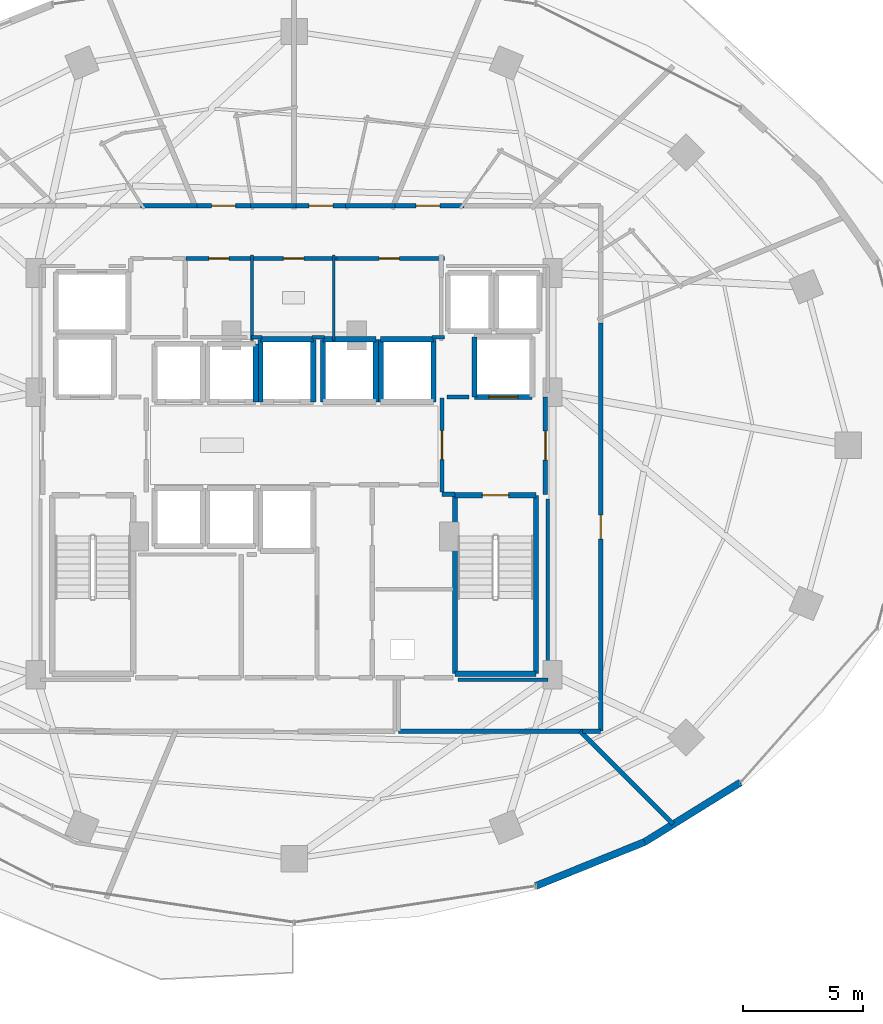
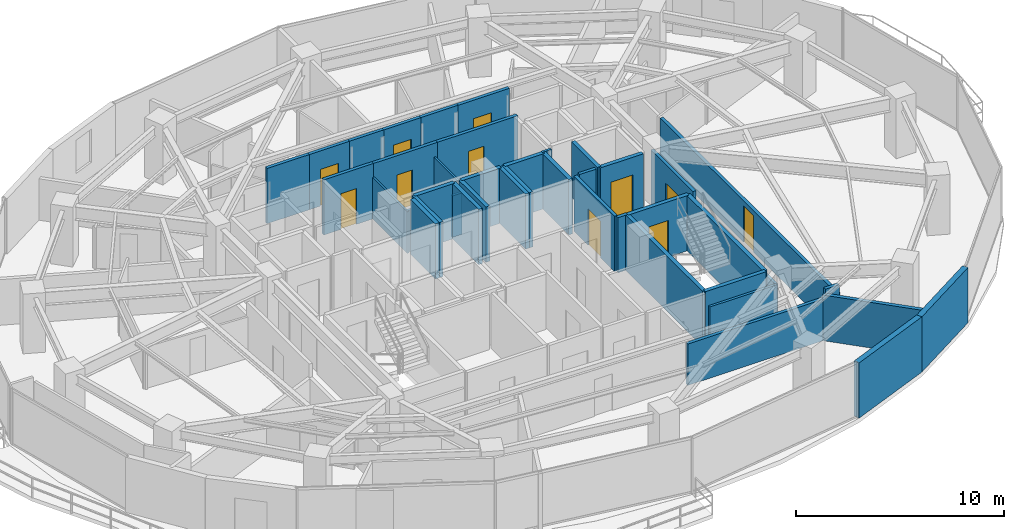
# One storey, part 25 of 30: 42 walls, 11 doors, 11 openings.
"""IFC4 building model written with IfcOpenShell, lengths in metres."""

from ifc_helpers import new_model, si_unit, direction, frame, frame_2d, origin, place, context, subcontext, project, spatial, rectangle, extrude, material, layer, layer_set, type_object, element, fill, save


model = new_model("IFC4")

# Units and contexts
model_context = context("Model", 3, precision=1e-05, world=origin(), true_north=direction((0.0, 1.0)))
body_context = subcontext(model_context, "Body", "Model", "MODEL_VIEW")
ifc_project = project(units=[si_unit("LENGTHUNIT", "METRE"), si_unit("AREAUNIT", "SQUARE_METRE"), si_unit("VOLUMEUNIT", "CUBIC_METRE"), si_unit("PLANEANGLEUNIT", "RADIAN"), si_unit("MASSUNIT", "GRAM", prefix="KILO")], contexts=[model_context])

# Site, building, storey
site_placement = place(None, origin())
site = spatial("IfcSite", under=ifc_project, at=site_placement, CompositionType="ELEMENT")
building_placement = place(site_placement, origin())
building = spatial("IfcBuilding", under=site, at=building_placement, Name="Vorneva Point Tower", CompositionType="ELEMENT")
storey_placement = place(building_placement, frame((0.0, 0.0, 106.800048828125)))
storey = spatial("IfcBuildingStorey", under=building, at=storey_placement, Name="L28", CompositionType="ELEMENT", Elevation=106.800048828125)

# Wall, opening, door
ifc_material_1 = material(Name="Concrete B60 (C50/60)", Category="concrete")
ifc_layer_1 = layer(ifc_material_1, 0.5)
ifc_layer_set_1 = layer_set([ifc_layer_1], Name="Concrete B60 (C50/60)")
wall_type_1 = type_object("IfcWallType", Name="WL-CORE-500", PredefinedType="SHEAR", material=ifc_layer_set_1)
wall_1_placement = place(storey_placement, frame((45.5, 28.0, 0.0), z_axis=(0.0, 0.0, 1.0), x_axis=(1.0, 0.0, 0.0)))
wall_1 = element("IfcWall", 1, at=wall_1_placement, inside=storey, type_object=wall_type_1, Name="L28 Lift FFL2 Shaft Wall -Y", PredefinedType="SHEAR", context=body_context, shape_type="SweptSolid", body=[
    extrude(rectangle(XDim=2.39990234375, YDim=0.219970703125, at=frame_2d((1.199951171875, 0.0))), origin(), (0.0, 0.0, 1.0), 3.239990234375),
])
opening_1_placement = place(wall_1_placement, frame((0.60009765625, 0.0, 0.0)))
opening_1 = element("IfcOpeningElement", 2, at=opening_1_placement, cuts=wall_1, Name="Opening LD-02", PredefinedType="OPENING", context=body_context, shape_type="SweptSolid", body=[
    extrude(rectangle(XDim=1.199951171875, YDim=2.199951171875, at=frame_2d((0.60009765625, 1.10009765625))), frame((0.0, 0.125, 0.0), z_axis=(0.0, -1.0, 0.0), x_axis=(1.0, 0.0, 0.0)), (0.0, 0.0, 1.0), 0.249755859375),
])
ifc_material_2 = material(Name="Brushed stainless steel S304", Category="steel")
door_type_1 = type_object("IfcDoorType", Name="LD-FIRE-1200", OperationType="SLIDING_TO_LEFT", PredefinedType="DOOR", material=ifc_material_2)
door_1_placement = place(opening_1_placement, origin())
door_1 = element("IfcDoor", 3, at=door_1_placement, inside=storey, type_object=door_type_1, Name="L28 Lift FFL2 Sliding Landing Door", OperationType="SLIDING_TO_LEFT", OverallHeight=2.199951171875, OverallWidth=1.199951171875, PredefinedType="DOOR", context=body_context, shape_type="SweptSolid", body=[
    extrude(rectangle(XDim=1.199951171875, YDim=2.199951171875, at=frame_2d((0.60009765625, 1.10009765625))), frame((0.0, 0.02490234375, 0.0), z_axis=(0.0, -1.0, 0.0), x_axis=(1.0, 0.0, 0.0)), (0.0, 0.0, 1.0), 0.050048828125),
])
fill(opening_1, door_1)

# Walls
wall_2_placement = place(storey_placement, frame((45.5, 30.5, 0.0), z_axis=(0.0, 0.0, 1.0), x_axis=(0.0, -1.0, 0.0)))
element("IfcWall", 4, at=wall_2_placement, inside=storey, type_object=wall_type_1, Name="L28 Lift FFL2 Shaft Wall -X", PredefinedType="SHEAR", context=body_context, shape_type="SweptSolid", body=[
    extrude(rectangle(XDim=2.5, YDim=0.219970703125, at=frame_2d((1.25, 0.0))), origin(), (0.0, 0.0, 1.0), 3.239990234375),
])
ifc_material_3 = material(Name="Precast concrete B50 (C40/50)", Category="concrete")
ifc_layer_2 = layer(ifc_material_3, 0.300048828125)
ifc_layer_set_2 = layer_set([ifc_layer_2], Name="Precast concrete B50 (C40/50)")
wall_type_2 = type_object("IfcWallType", Name="WL-EXT-300", PredefinedType="STANDARD", material=ifc_layer_set_2)
wall_3_placement = place(storey_placement, frame((48.04541015625, 7.660888671875, 0.0), z_axis=(0.0, 0.0, 1.0), x_axis=(0.927122233109, 0.374759075775, 0.0)))
element("IfcWall", 5, at=wall_3_placement, inside=storey, type_object=wall_type_2, Name="L28 Pale-Metal Facade Spandrel Wall 14.1", PredefinedType="STANDARD", context=body_context, shape_type="SweptSolid", body=[
    extrude(rectangle(XDim=4.89501953125, YDim=0.300048828125, at=frame_2d((2.447509765625, 0.0))), origin(), (0.0, 0.0, 1.0), 3.239990234375),
])
wall_4_placement = place(storey_placement, frame((52.583740234375, 9.495361328125, 0.0), z_axis=(0.0, 0.0, 1.0), x_axis=(0.849684479743, 0.527291461038, 0.0)))
element("IfcWall", 6, at=wall_4_placement, inside=storey, type_object=wall_type_2, Name="L28 Pale-Metal Facade Spandrel Wall 14.2", PredefinedType="STANDARD", context=body_context, shape_type="SweptSolid", body=[
    extrude(rectangle(XDim=4.681396484375, YDim=0.300048828125, at=frame_2d((2.3408203125, 0.0))), origin(), (0.0, 0.0, 1.0), 3.239990234375),
])
ifc_material_4 = material(Name="Fire-rated acoustic gypsum stud partition", Category="gypsum")
ifc_layer_3 = layer(ifc_material_4, 0.110107421875)
ifc_layer_set_3 = layer_set([ifc_layer_3], Name="Fire-rated acoustic gypsum stud partition")
wall_type_3 = type_object("IfcWallType", Name="WL-PART-110", PredefinedType="PARTITIONING", material=ifc_layer_set_3)
for number, where, z_axis, x_axis, name in (
    (7, (36.25, 30.340087890625, 0.0), (0.0, 0.0, 1.0), (0.0, 1.0, 0.0), "L28 Interior Partition 017"),
    (8, (39.64990234375, 30.340087890625, 0.0), (0.0, 0.0, 1.0), (0.0, 1.0, 0.0), "L28 Interior Partition 019"),
):
    element("IfcWall", number, at=place(storey_placement, frame(where, z_axis=z_axis, x_axis=x_axis)), inside=storey, type_object=wall_type_3, Name=name, PredefinedType="PARTITIONING", context=body_context, shape_type="SweptSolid", body=[
        extrude(rectangle(XDim=3.559814453125, YDim=0.110107421875, at=frame_2d((1.77978515625, 0.0))), origin(), (0.0, 0.0, 1.0), 2.431884765625),
    ])
ifc_layer_4 = layer(ifc_material_4, 0.139892578125)
ifc_layer_set_4 = layer_set([ifc_layer_4], Name="Fire-rated acoustic gypsum stud partition")
wall_type_4 = type_object("IfcWallType", Name="WL-PART-140", PredefinedType="PARTITIONING", material=ifc_layer_set_4)
wall_5_placement = place(storey_placement, frame((36.219970703125, 30.47998046875, 0.0), z_axis=(0.0, 0.0, 1.0), x_axis=(1.0, 0.0, 0.0)))
element("IfcWall", 9, at=wall_5_placement, inside=storey, type_object=wall_type_4, Name="L28 Interior Closure Partition 097", PredefinedType="PARTITIONING", context=body_context, shape_type="SweptSolid", body=[
    extrude(rectangle(XDim=0.445068359375, YDim=0.139892578125, at=frame_2d((0.22265625, 0.0))), origin(), (0.0, 0.0, 1.0), 2.431884765625),
])
wall_6_placement = place(storey_placement, frame((38.735107421875, 30.47998046875, 0.0), z_axis=(0.0, 0.0, 1.0), x_axis=(1.0, 0.0, 0.0)))
element("IfcWall", 10, at=wall_6_placement, inside=storey, type_object=wall_type_4, Name="L28 Interior Closure Partition 098", PredefinedType="PARTITIONING", context=body_context, shape_type="SweptSolid", body=[
    extrude(rectangle(XDim=0.52978515625, YDim=0.139892578125, at=frame_2d((0.264892578125, 0.0))), origin(), (0.0, 0.0, 1.0), 2.431884765625),
])
wall_7_placement = place(storey_placement, frame((43.735107421875, 30.47998046875, 0.0), z_axis=(0.0, 0.0, 1.0), x_axis=(1.0, 0.0, 0.0)))
element("IfcWall", 11, at=wall_7_placement, inside=storey, type_object=wall_type_4, Name="L28 Interior Closure Partition 099", PredefinedType="PARTITIONING", context=body_context, shape_type="SweptSolid", body=[
    extrude(rectangle(XDim=0.52490234375, YDim=0.139892578125, at=frame_2d((0.262451171875, 0.0))), origin(), (0.0, 0.0, 1.0), 3.239990234375),
])
wall_8_placement = place(storey_placement, frame((48.550048828125, 23.75390625, 0.0), z_axis=(0.0, 0.0, 1.0), x_axis=(0.0, -1.0, 0.0)))
element("IfcWall", 12, at=wall_8_placement, inside=storey, type_object=wall_type_4, Name="L28 Interior Closure Partition 105", PredefinedType="PARTITIONING", context=body_context, shape_type="SweptSolid", body=[
    extrude(rectangle(XDim=7.513916015625, YDim=0.139892578125, at=frame_2d((3.7568359375, 0.0))), origin(), (0.0, 0.0, 1.0), 2.431884765625),
])
wall_9_placement = place(storey_placement, frame((48.550048828125, 16.239990234375, 0.0), z_axis=(0.0, 0.0, 1.0), x_axis=(-1.0, 0.0, 0.0)))
element("IfcWall", 13, at=wall_9_placement, inside=storey, type_object=wall_type_4, Name="L28 Interior Closure Partition 106", PredefinedType="PARTITIONING", context=body_context, shape_type="SweptSolid", body=[
    extrude(rectangle(XDim=3.7451171875, YDim=0.139892578125, at=frame_2d((1.87255859375, 0.0))), origin(), (0.0, 0.0, 1.0), 2.431884765625),
])

# Wall, opening, door
ifc_material_5 = material(Name="Autoclaved aerated concrete blockwork", Category="masonry")
ifc_layer_5 = layer(ifc_material_5, 0.179931640625)
ifc_layer_set_5 = layer_set([ifc_layer_5], Name="Autoclaved aerated concrete blockwork")
wall_type_5 = type_object("IfcWallType", Name="WL-PART-180", PredefinedType="PARTITIONING", material=ifc_layer_set_5)
wall_10_placement = place(storey_placement, frame((44.14990234375, 27.955078125, 0.0), z_axis=(0.0, 0.0, 1.0), x_axis=(0.0, -1.0, 0.0)))
wall_10 = element("IfcWall", 14, at=wall_10_placement, inside=storey, type_object=wall_type_5, Name="L28 Interior Partition 003", PredefinedType="PARTITIONING", context=body_context, shape_type="SweptSolid", body=[
    extrude(rectangle(XDim=3.91015625, YDim=0.179931640625, at=frame_2d((1.955078125, 0.0))), origin(), (0.0, 0.0, 1.0), 3.239990234375),
])
opening_2_placement = place(wall_10_placement, frame((1.35498046875, 0.0, 0.0)))
opening_2 = element("IfcOpeningElement", 15, at=opening_2_placement, cuts=wall_10, Name="Opening FD-02", PredefinedType="OPENING", context=body_context, shape_type="SweptSolid", body=[
    extrude(rectangle(XDim=1.199951171875, YDim=2.14990234375, at=frame_2d((0.60009765625, 1.074951171875))), frame((0.0, 0.10498046875, 0.0), z_axis=(0.0, -1.0, 0.0), x_axis=(1.0, 0.0, 0.0)), (0.0, 0.0, 1.0), 0.209716796875),
])
ifc_material_6 = material(Name="Fire-rated powder-coated steel", Category="steel")
door_type_2 = type_object("IfcDoorType", Name="DR-FFL-1200", OperationType="NOTDEFINED", PredefinedType="DOOR", material=ifc_material_6)
door_2_placement = place(opening_2_placement, origin())
door_2 = element("IfcDoor", 16, at=door_2_placement, inside=storey, type_object=door_type_2, Name="L28 Door East Firefighting Lobby / Central Lift Lobby", OperationType="SINGLE_SWING_LEFT", OverallHeight=2.14990234375, OverallWidth=1.199951171875, PredefinedType="DOOR", context=body_context, shape_type="SweptSolid", body=[
    extrude(rectangle(XDim=1.199951171875, YDim=2.14990234375, at=frame_2d((0.60009765625, 1.074951171875))), frame((0.0, 0.02490234375, 0.0), z_axis=(0.0, -1.0, 0.0), x_axis=(1.0, 0.0, 0.0)), (0.0, 0.0, 1.0), 0.050048828125),
])
fill(opening_2, door_2)

# Wall
wall_11_placement = place(storey_placement, frame((44.14990234375, 23.949951171875, 0.0), z_axis=(0.0, 0.0, 1.0), x_axis=(1.0, 0.0, 0.0)))
element("IfcWall", 17, at=wall_11_placement, inside=storey, type_object=wall_type_5, Name="L28 Interior Partition 004", PredefinedType="PARTITIONING", context=body_context, shape_type="SweptSolid", body=[
    extrude(rectangle(XDim=0.5400390625, YDim=0.179931640625, at=frame_2d((0.27001953125, 0.0))), origin(), (0.0, 0.0, 1.0), 3.239990234375),
])

# Wall, opening, door
wall_12_placement = place(storey_placement, frame((48.449951171875, 23.949951171875, 0.0), z_axis=(0.0, 0.0, 1.0), x_axis=(0.0, 1.0, 0.0)))
wall_12 = element("IfcWall", 18, at=wall_12_placement, inside=storey, type_object=wall_type_5, Name="L28 Interior Partition 005", PredefinedType="PARTITIONING", context=body_context, shape_type="SweptSolid", body=[
    extrude(rectangle(XDim=4.050048828125, YDim=0.179931640625, at=frame_2d((2.02490234375, 0.0))), origin(), (0.0, 0.0, 1.0), 3.239990234375),
])
opening_3_placement = place(wall_12_placement, frame((1.425048828125, 0.0, 0.0)))
opening_3 = element("IfcOpeningElement", 19, at=opening_3_placement, cuts=wall_12, Name="Opening FD-02", PredefinedType="OPENING", context=body_context, shape_type="SweptSolid", body=[
    extrude(rectangle(XDim=1.199951171875, YDim=2.14990234375, at=frame_2d((0.60009765625, 1.074951171875))), frame((0.0, 0.10498046875, 0.0), z_axis=(0.0, -1.0, 0.0), x_axis=(1.0, 0.0, 0.0)), (0.0, 0.0, 1.0), 0.209716796875),
])
door_3_placement = place(opening_3_placement, origin())
door_3 = element("IfcDoor", 20, at=door_3_placement, inside=storey, type_object=door_type_2, Name="L28 Door East Firefighting Lobby / L28 Circulation Corridor", OperationType="SINGLE_SWING_LEFT", OverallHeight=2.14990234375, OverallWidth=1.199951171875, PredefinedType="DOOR", context=body_context, shape_type="SweptSolid", body=[
    extrude(rectangle(XDim=1.199951171875, YDim=2.14990234375, at=frame_2d((0.60009765625, 1.074951171875))), frame((0.0, 0.02490234375, 0.0), z_axis=(0.0, -1.0, 0.0), x_axis=(1.0, 0.0, 0.0)), (0.0, 0.0, 1.0), 0.050048828125),
])
fill(opening_3, door_3)

wall_13_placement = place(storey_placement, frame((36.25, 33.760009765625, 0.0), z_axis=(0.0, 0.0, 1.0), x_axis=(-1.0, 0.0, 0.0)))
wall_13 = element("IfcWall", 21, at=wall_13_placement, inside=storey, type_object=wall_type_5, Name="L28 Interior Partition 018", PredefinedType="PARTITIONING", context=body_context, shape_type="SweptSolid", body=[
    extrude(rectangle(XDim=2.75, YDim=0.179931640625, at=frame_2d((1.375, 0.0))), origin(), (0.0, 0.0, 1.0), 3.239990234375),
])
opening_4_placement = place(wall_13_placement, frame((0.949951171875, 0.0, 0.0)))
opening_4 = element("IfcOpeningElement", 22, at=opening_4_placement, cuts=wall_13, Name="Opening ID-02", PredefinedType="OPENING", context=body_context, shape_type="SweptSolid", body=[
    extrude(rectangle(XDim=0.85009765625, YDim=2.10009765625, at=frame_2d((0.425048828125, 1.050048828125))), frame((0.0, 0.10498046875, 0.0), z_axis=(0.0, -1.0, 0.0), x_axis=(1.0, 0.0, 0.0)), (0.0, 0.0, 1.0), 0.209716796875),
])
ifc_material_7 = material(Name="Engineered oak fire-rated door leaf", Category="wood")
door_type_3 = type_object("IfcDoorType", Name="DR-BATH-850", OperationType="NOTDEFINED", PredefinedType="DOOR", material=ifc_material_7)
door_4_placement = place(opening_4_placement, origin())
door_4 = element("IfcDoor", 23, at=door_4_placement, inside=storey, type_object=door_type_3, Name="L28 Door Core Supply Store / L28 Circulation Corridor", OperationType="SINGLE_SWING_RIGHT", OverallHeight=2.10009765625, OverallWidth=0.85009765625, PredefinedType="DOOR", context=body_context, shape_type="SweptSolid", body=[
    extrude(rectangle(XDim=0.85009765625, YDim=2.10009765625, at=frame_2d((0.425048828125, 1.050048828125))), frame((0.0, 0.02490234375, 0.0), z_axis=(0.0, -1.0, 0.0), x_axis=(1.0, 0.0, 0.0)), (0.0, 0.0, 1.0), 0.050048828125),
])
fill(opening_4, door_4)

wall_14_placement = place(storey_placement, frame((39.7900390625, 33.760009765625, 0.0), z_axis=(0.0, 0.0, 1.0), x_axis=(-1.0, 0.0, 0.0)))
wall_14 = element("IfcWall", 24, at=wall_14_placement, inside=storey, type_object=wall_type_5, Name="L28 Interior Partition 020", PredefinedType="PARTITIONING", context=body_context, shape_type="SweptSolid", body=[
    extrude(rectangle(XDim=3.630126953125, YDim=0.179931640625, at=frame_2d((1.81494140625, 0.0))), origin(), (0.0, 0.0, 1.0), 3.239990234375),
])
opening_5_placement = place(wall_14_placement, frame((1.389892578125, 0.0, 0.0)))
opening_5 = element("IfcOpeningElement", 25, at=opening_5_placement, cuts=wall_14, Name="Opening ID-02", PredefinedType="OPENING", context=body_context, shape_type="SweptSolid", body=[
    extrude(rectangle(XDim=0.85009765625, YDim=2.10009765625, at=frame_2d((0.425048828125, 1.050048828125))), frame((0.0, 0.10498046875, 0.0), z_axis=(0.0, -1.0, 0.0), x_axis=(1.0, 0.0, 0.0)), (0.0, 0.0, 1.0), 0.209716796875),
])
door_5_placement = place(opening_5_placement, origin())
door_5 = element("IfcDoor", 26, at=door_5_placement, inside=storey, type_object=door_type_3, Name="L28 Door Accessible WC / L28 Circulation Corridor", OperationType="SINGLE_SWING_LEFT", OverallHeight=2.10009765625, OverallWidth=0.85009765625, PredefinedType="DOOR", context=body_context, shape_type="SweptSolid", body=[
    extrude(rectangle(XDim=0.85009765625, YDim=2.10009765625, at=frame_2d((0.425048828125, 1.050048828125))), frame((0.0, 0.02490234375, 0.0), z_axis=(0.0, -1.0, 0.0), x_axis=(1.0, 0.0, 0.0)), (0.0, 0.0, 1.0), 0.050048828125),
])
fill(opening_5, door_5)

wall_15_placement = place(storey_placement, frame((44.260009765625, 33.760009765625, 0.0), z_axis=(0.0, 0.0, 1.0), x_axis=(-1.0, 0.0, 0.0)))
wall_15 = element("IfcWall", 27, at=wall_15_placement, inside=storey, type_object=wall_type_5, Name="L28 Interior Partition 021", PredefinedType="PARTITIONING", context=body_context, shape_type="SweptSolid", body=[
    extrude(rectangle(XDim=4.610107421875, YDim=0.179931640625, at=frame_2d((2.30517578125, 0.0))), origin(), (0.0, 0.0, 1.0), 3.239990234375),
])
opening_6_placement = place(wall_15_placement, frame((1.8798828125, 0.0, 0.0)))
opening_6 = element("IfcOpeningElement", 28, at=opening_6_placement, cuts=wall_15, Name="Opening ID-02", PredefinedType="OPENING", context=body_context, shape_type="SweptSolid", body=[
    extrude(rectangle(XDim=0.85009765625, YDim=2.10009765625, at=frame_2d((0.425048828125, 1.050048828125))), frame((0.0, 0.10498046875, 0.0), z_axis=(0.0, -1.0, 0.0), x_axis=(1.0, 0.0, 0.0)), (0.0, 0.0, 1.0), 0.209716796875),
])
door_6_placement = place(opening_6_placement, origin())
door_6 = element("IfcDoor", 29, at=door_6_placement, inside=storey, type_object=door_type_3, Name="L28 Door Public WC / L28 Circulation Corridor", OperationType="SINGLE_SWING_RIGHT", OverallHeight=2.10009765625, OverallWidth=0.85009765625, PredefinedType="DOOR", context=body_context, shape_type="SweptSolid", body=[
    extrude(rectangle(XDim=0.85009765625, YDim=2.10009765625, at=frame_2d((0.425048828125, 1.050048828125))), frame((0.0, 0.02490234375, 0.0), z_axis=(0.0, -1.0, 0.0), x_axis=(1.0, 0.0, 0.0)), (0.0, 0.0, 1.0), 0.050048828125),
])
fill(opening_6, door_6)

wall_16_placement = place(storey_placement, frame((45.06591796875, 35.949951171875, 0.0), z_axis=(0.0, 0.0, 1.0), x_axis=(-1.0, 0.0, 0.0)))
wall_16 = element("IfcWall", 30, at=wall_16_placement, inside=storey, type_object=wall_type_5, Name="L28 Interior Partition 029", PredefinedType="PARTITIONING", context=body_context, shape_type="SweptSolid", body=[
    extrude(rectangle(XDim=3.0048828125, YDim=0.179931640625, at=frame_2d((1.50244140625, 0.0))), origin(), (0.0, 0.0, 1.0), 3.239990234375),
])
opening_7_placement = place(wall_16_placement, frame((1.00244140625, 0.0, 0.0)))
opening_7 = element("IfcOpeningElement", 31, at=opening_7_placement, cuts=wall_16, Name="Opening UD-01", PredefinedType="OPENING", context=body_context, shape_type="SweptSolid", body=[
    extrude(rectangle(XDim=1.0, YDim=2.14990234375, at=frame_2d((0.5, 1.074951171875))), frame((0.0, 0.10498046875, 0.0), z_axis=(0.0, -1.0, 0.0), x_axis=(1.0, 0.0, 0.0)), (0.0, 0.0, 1.0), 0.209716796875),
])
door_type_4 = type_object("IfcDoorType", Name="DR-UNIT-1000", OperationType="NOTDEFINED", PredefinedType="DOOR", material=ifc_material_7)
door_7_placement = place(opening_7_placement, origin())
door_7 = element("IfcDoor", 32, at=door_7_placement, inside=storey, type_object=door_type_4, Name="L28 Door L28 Circulation Corridor / Twin Guest Room L28-02", OperationType="SINGLE_SWING_RIGHT", OverallHeight=2.14990234375, OverallWidth=1.0, PredefinedType="DOOR", context=body_context, shape_type="SweptSolid", body=[
    extrude(rectangle(XDim=1.0, YDim=2.14990234375, at=frame_2d((0.5, 1.074951171875))), frame((0.0, 0.02490234375, 0.0), z_axis=(0.0, -1.0, 0.0), x_axis=(1.0, 0.0, 0.0)), (0.0, 0.0, 1.0), 0.050048828125),
])
fill(opening_7, door_7)

wall_17_placement = place(storey_placement, frame((40.284912109375, 35.949951171875, 0.0), z_axis=(0.0, 0.0, 1.0), x_axis=(-1.0, 0.0, 0.0)))
wall_17 = element("IfcWall", 33, at=wall_17_placement, inside=storey, type_object=wall_type_5, Name="L28 Interior Partition 031", PredefinedType="PARTITIONING", context=body_context, shape_type="SweptSolid", body=[
    extrude(rectangle(XDim=2.344970703125, YDim=0.179931640625, at=frame_2d((1.17236328125, 0.0))), origin(), (0.0, 0.0, 1.0), 3.239990234375),
])
opening_8_placement = place(wall_17_placement, frame((0.672607421875, 0.0, 0.0)))
opening_8 = element("IfcOpeningElement", 34, at=opening_8_placement, cuts=wall_17, Name="Opening UD-01", PredefinedType="OPENING", context=body_context, shape_type="SweptSolid", body=[
    extrude(rectangle(XDim=1.0, YDim=2.14990234375, at=frame_2d((0.5, 1.074951171875))), frame((0.0, 0.10498046875, 0.0), z_axis=(0.0, -1.0, 0.0), x_axis=(1.0, 0.0, 0.0)), (0.0, 0.0, 1.0), 0.209716796875),
])
door_8_placement = place(opening_8_placement, origin())
door_8 = element("IfcDoor", 35, at=door_8_placement, inside=storey, type_object=door_type_4, Name="L28 Door L28 Circulation Corridor / Deluxe Guest Room L28-03", OperationType="SINGLE_SWING_LEFT", OverallHeight=2.14990234375, OverallWidth=1.0, PredefinedType="DOOR", context=body_context, shape_type="SweptSolid", body=[
    extrude(rectangle(XDim=1.0, YDim=2.14990234375, at=frame_2d((0.5, 1.074951171875))), frame((0.0, 0.02490234375, 0.0), z_axis=(0.0, -1.0, 0.0), x_axis=(1.0, 0.0, 0.0)), (0.0, 0.0, 1.0), 0.050048828125),
])
fill(opening_8, door_8)

# Wall
wall_18_placement = place(storey_placement, frame((42.200927734375, 35.949951171875, 0.0), z_axis=(0.0, 0.0, 1.0), x_axis=(-1.0, 0.0, 0.0)))
element("IfcWall", 36, at=wall_18_placement, inside=storey, type_object=wall_type_5, Name="L28 Interior Partition 032", PredefinedType="PARTITIONING", context=body_context, shape_type="SweptSolid", body=[
    extrude(rectangle(XDim=2.055908203125, YDim=0.179931640625, at=frame_2d((1.02783203125, 0.0))), origin(), (0.0, 0.0, 1.0), 3.239990234375),
])

# Wall, opening, door
wall_19_placement = place(storey_placement, frame((36.322998046875, 35.949951171875, 0.0), z_axis=(0.0, 0.0, 1.0), x_axis=(-1.0, 0.0, 0.0)))
wall_19 = element("IfcWall", 37, at=wall_19_placement, inside=storey, type_object=wall_type_5, Name="L28 Interior Partition 033", PredefinedType="PARTITIONING", context=body_context, shape_type="SweptSolid", body=[
    extrude(rectangle(XDim=2.509033203125, YDim=0.179931640625, at=frame_2d((1.25439453125, 0.0))), origin(), (0.0, 0.0, 1.0), 3.239990234375),
])
opening_9_placement = place(wall_19_placement, frame((0.75439453125, 0.0, 0.0)))
opening_9 = element("IfcOpeningElement", 38, at=opening_9_placement, cuts=wall_19, Name="Opening UD-01", PredefinedType="OPENING", context=body_context, shape_type="SweptSolid", body=[
    extrude(rectangle(XDim=1.0, YDim=2.14990234375, at=frame_2d((0.5, 1.074951171875))), frame((0.0, 0.10498046875, 0.0), z_axis=(0.0, -1.0, 0.0), x_axis=(1.0, 0.0, 0.0)), (0.0, 0.0, 1.0), 0.209716796875),
])
door_9_placement = place(opening_9_placement, origin())
door_9 = element("IfcDoor", 39, at=door_9_placement, inside=storey, type_object=door_type_4, Name="L28 Door L28 Circulation Corridor / King Guest Room L28-04", OperationType="SINGLE_SWING_RIGHT", OverallHeight=2.14990234375, OverallWidth=1.0, PredefinedType="DOOR", context=body_context, shape_type="SweptSolid", body=[
    extrude(rectangle(XDim=1.0, YDim=2.14990234375, at=frame_2d((0.5, 1.074951171875))), frame((0.0, 0.02490234375, 0.0), z_axis=(0.0, -1.0, 0.0), x_axis=(1.0, 0.0, 0.0)), (0.0, 0.0, 1.0), 0.050048828125),
])
fill(opening_9, door_9)

# Walls
wall_20_placement = place(storey_placement, frame((38.080078125, 35.949951171875, 0.0), z_axis=(0.0, 0.0, 1.0), x_axis=(-1.0, 0.0, 0.0)))
element("IfcWall", 40, at=wall_20_placement, inside=storey, type_object=wall_type_5, Name="L28 Interior Partition 034", PredefinedType="PARTITIONING", context=body_context, shape_type="SweptSolid", body=[
    extrude(rectangle(XDim=1.89697265625, YDim=0.179931640625, at=frame_2d((0.948486328125, 0.0))), origin(), (0.0, 0.0, 1.0), 3.239990234375),
])
wall_21_placement = place(storey_placement, frame((33.9541015625, 35.949951171875, 0.0), z_axis=(0.0, 0.0, 1.0), x_axis=(-1.0, 0.0, 0.0)))
element("IfcWall", 41, at=wall_21_placement, inside=storey, type_object=wall_type_5, Name="L28 Interior Partition 036", PredefinedType="PARTITIONING", context=body_context, shape_type="SweptSolid", body=[
    extrude(rectangle(XDim=2.34814453125, YDim=0.179931640625, at=frame_2d((1.174072265625, 0.0))), origin(), (0.0, 0.0, 1.0), 3.239990234375),
])
wall_22_placement = place(storey_placement, frame((42.340087890625, 14.10009765625, 0.0), z_axis=(0.0, 0.0, 1.0), x_axis=(1.0, 0.0, 0.0)))
element("IfcWall", 42, at=wall_22_placement, inside=storey, type_object=wall_type_5, Name="L28 Interior Partition 046", PredefinedType="PARTITIONING", context=body_context, shape_type="SweptSolid", body=[
    extrude(rectangle(XDim=7.64501953125, YDim=0.179931640625, at=frame_2d((3.822509765625, 0.0))), origin(), (0.0, 0.0, 1.0), 2.431884765625),
])
wall_23_placement = place(storey_placement, frame((49.985107421875, 14.10009765625, 0.0), z_axis=(0.0, 0.0, 1.0), x_axis=(1.0, 0.0, 0.0)))
element("IfcWall", 43, at=wall_23_placement, inside=storey, type_object=wall_type_5, Name="L28 Interior Partition 049", PredefinedType="PARTITIONING", context=body_context, shape_type="SweptSolid", body=[
    extrude(rectangle(XDim=0.764892578125, YDim=0.179931640625, at=frame_2d((0.38232421875, 0.0))), origin(), (0.0, 0.0, 1.0), 2.971923828125),
])

# Wall, opening, door
wall_24_placement = place(storey_placement, frame((50.75, 14.10009765625, 0.0), z_axis=(0.0, 0.0, 1.0), x_axis=(0.0, 1.0, 0.0)))
wall_24 = element("IfcWall", 44, at=wall_24_placement, inside=storey, type_object=wall_type_5, Name="L28 Interior Partition 050", PredefinedType="PARTITIONING", context=body_context, shape_type="SweptSolid", body=[
    extrude(rectangle(XDim=16.98095703125, YDim=0.179931640625, at=frame_2d((8.490478515625, 0.0))), origin(), (0.0, 0.0, 1.0), 2.431884765625),
])
opening_10_placement = place(wall_24_placement, frame((7.990478515625, 0.0, 0.0)))
opening_10 = element("IfcOpeningElement", 45, at=opening_10_placement, cuts=wall_24, Name="Opening UD-01", PredefinedType="OPENING", context=body_context, shape_type="SweptSolid", body=[
    extrude(rectangle(XDim=1.0, YDim=2.14990234375, at=frame_2d((0.5, 1.074951171875))), frame((0.0, 0.10498046875, 0.0), z_axis=(0.0, -1.0, 0.0), x_axis=(1.0, 0.0, 0.0)), (0.0, 0.0, 1.0), 0.209716796875),
])
door_10_placement = place(opening_10_placement, origin())
door_10 = element("IfcDoor", 46, at=door_10_placement, inside=storey, type_object=door_type_4, Name="L28 Door L28 Circulation Corridor / Executive Meeting Room L28-10", OperationType="SINGLE_SWING_RIGHT", OverallHeight=2.14990234375, OverallWidth=1.0, PredefinedType="DOOR", context=body_context, shape_type="SweptSolid", body=[
    extrude(rectangle(XDim=1.0, YDim=2.14990234375, at=frame_2d((0.5, 1.074951171875))), frame((0.0, 0.02490234375, 0.0), z_axis=(0.0, -1.0, 0.0), x_axis=(1.0, 0.0, 0.0)), (0.0, 0.0, 1.0), 0.050048828125),
])
fill(opening_10, door_10)

# Walls
wall_25_placement = place(storey_placement, frame((45.280029296875, 28.0, 0.0), z_axis=(0.0, 0.0, 1.0), x_axis=(-1.0, 0.0, 0.0)))
element("IfcWall", 47, at=wall_25_placement, inside=storey, type_object=wall_type_5, Name="L28 Interior Closure Partition 094", PredefinedType="PARTITIONING", context=body_context, shape_type="SweptSolid", body=[
    extrude(rectangle(XDim=0.9150390625, YDim=0.179931640625, at=frame_2d((0.45751953125, 0.0))), origin(), (0.0, 0.0, 1.0), 3.239990234375),
])
ifc_layer_6 = layer(ifc_material_5, 0.199951171875)
ifc_layer_set_6 = layer_set([ifc_layer_6], Name="Autoclaved aerated concrete blockwork")
wall_type_6 = type_object("IfcWallType", Name="WL-PART-200", PredefinedType="PARTITIONING", material=ifc_layer_set_6)
wall_26_placement = place(storey_placement, frame((53.76806640625, 10.23193359375, 0.0), z_axis=(0.0, 0.0, 1.0), x_axis=(-0.707106781187, 0.707106781187, 0.0)))
element("IfcWall", 48, at=wall_26_placement, inside=storey, type_object=wall_type_6, Name="L28 Interior Partition 092", PredefinedType="PARTITIONING", context=body_context, shape_type="SweptSolid", body=[
    extrude(rectangle(XDim=5.470458984375, YDim=0.199951171875, at=frame_2d((2.7353515625, 0.0))), origin(), (0.0, 0.0, 1.0), 2.677001953125),
])

# Wall, opening, door
ifc_material_8 = material(Name="Concrete B50 (C40/50)", Category="concrete")
ifc_layer_7 = layer(ifc_material_8, 0.219970703125)
ifc_layer_set_7 = layer_set([ifc_layer_7], Name="Concrete B50 (C40/50)")
wall_type_7 = type_object("IfcWallType", Name="WL-SHFT-220", PredefinedType="SOLIDWALL", material=ifc_layer_set_7)
wall_27_placement = place(storey_placement, frame((44.68994140625, 23.909912109375, 0.0), z_axis=(0.0, 0.0, 1.0), x_axis=(1.0, 0.0, 0.0)))
wall_27 = element("IfcWall", 49, at=wall_27_placement, inside=storey, type_object=wall_type_7, Name="L28 Exit Stair ST2 Shaft Wall near", PredefinedType="SOLIDWALL", context=body_context, shape_type="SweptSolid", body=[
    extrude(rectangle(XDim=3.3701171875, YDim=0.219970703125, at=frame_2d((1.68505859375, 0.0))), origin(), (0.0, 0.0, 1.0), 3.239990234375),
])
opening_11_placement = place(wall_27_placement, frame((1.135009765625, 0.0, 0.0)))
opening_11 = element("IfcOpeningElement", 50, at=opening_11_placement, cuts=wall_27, Name="Opening FD-01", PredefinedType="OPENING", context=body_context, shape_type="SweptSolid", body=[
    extrude(rectangle(XDim=1.10009765625, YDim=2.14990234375, at=frame_2d((0.550048828125, 1.074951171875))), frame((0.0, 0.125, 0.0), z_axis=(0.0, -1.0, 0.0), x_axis=(1.0, 0.0, 0.0)), (0.0, 0.0, 1.0), 0.249755859375),
])
door_type_5 = type_object("IfcDoorType", Name="DR-STAIR-1100", OperationType="NOTDEFINED", PredefinedType="DOOR", material=ifc_material_6)
door_11_placement = place(opening_11_placement, origin())
door_11 = element("IfcDoor", 51, at=door_11_placement, inside=storey, type_object=door_type_5, Name="L28 Exit Stair ST2 Fire Door", OperationType="SINGLE_SWING_LEFT", OverallHeight=2.14990234375, OverallWidth=1.10009765625, PredefinedType="DOOR", context=body_context, shape_type="SweptSolid", body=[
    extrude(rectangle(XDim=1.10009765625, YDim=2.14990234375, at=frame_2d((0.550048828125, 1.074951171875))), frame((0.0, 0.02490234375, 0.0), z_axis=(0.0, -1.0, 0.0), x_axis=(1.0, 0.0, 0.0)), (0.0, 0.0, 1.0), 0.050048828125),
])
fill(opening_11, door_11)

# Walls
wall_28_placement = place(storey_placement, frame((48.06005859375, 23.909912109375, 0.0), z_axis=(0.0, 0.0, 1.0), x_axis=(0.0, -1.0, 0.0)))
element("IfcWall", 52, at=wall_28_placement, inside=storey, type_object=wall_type_7, Name="L28 Exit Stair ST2 Shaft Wall right", PredefinedType="SOLIDWALL", context=body_context, shape_type="SweptSolid", body=[
    extrude(rectangle(XDim=7.419921875, YDim=0.219970703125, at=frame_2d((3.7099609375, 0.0))), origin(), (0.0, 0.0, 1.0), 3.239990234375),
])
wall_29_placement = place(storey_placement, frame((48.06005859375, 16.489990234375, 0.0), z_axis=(0.0, 0.0, 1.0), x_axis=(-1.0, 0.0, 0.0)))
element("IfcWall", 53, at=wall_29_placement, inside=storey, type_object=wall_type_7, Name="L28 Exit Stair ST2 Shaft Wall far", PredefinedType="SOLIDWALL", context=body_context, shape_type="SweptSolid", body=[
    extrude(rectangle(XDim=3.3701171875, YDim=0.219970703125, at=frame_2d((1.68505859375, 0.0))), origin(), (0.0, 0.0, 1.0), 3.239990234375),
])
wall_30_placement = place(storey_placement, frame((44.68994140625, 16.489990234375, 0.0), z_axis=(0.0, 0.0, 1.0), x_axis=(0.0, 1.0, 0.0)))
element("IfcWall", 54, at=wall_30_placement, inside=storey, type_object=wall_type_7, Name="L28 Exit Stair ST2 Shaft Wall left", PredefinedType="SOLIDWALL", context=body_context, shape_type="SweptSolid", body=[
    extrude(rectangle(XDim=7.419921875, YDim=0.219970703125, at=frame_2d((3.7099609375, 0.0))), origin(), (0.0, 0.0, 1.0), 3.239990234375),
])
wall_31_placement = place(storey_placement, frame((36.39990234375, 27.800048828125, 0.0), z_axis=(0.0, 0.0, 1.0), x_axis=(0.0, 1.0, 0.0)))
element("IfcWall", 55, at=wall_31_placement, inside=storey, type_object=wall_type_7, Name="L28 Lift PL2 Shaft Wall +X", PredefinedType="SOLIDWALL", context=body_context, shape_type="SweptSolid", body=[
    extrude(rectangle(XDim=2.39990234375, YDim=0.219970703125, at=frame_2d((1.199951171875, 0.0))), origin(), (0.0, 0.0, 1.0), 3.239990234375),
])
wall_32_placement = place(storey_placement, frame((38.800048828125, 27.800048828125, 0.0), z_axis=(0.0, 0.0, 1.0), x_axis=(0.0, 1.0, 0.0)))
element("IfcWall", 56, at=wall_32_placement, inside=storey, type_object=wall_type_7, Name="L28 Lift PL3 Shaft Wall +X", PredefinedType="SOLIDWALL", context=body_context, shape_type="SweptSolid", body=[
    extrude(rectangle(XDim=2.599853515625, YDim=0.219970703125, at=frame_2d((1.2998046875, 0.0))), origin(), (0.0, 0.0, 1.0), 3.239990234375),
])
wall_33_placement = place(storey_placement, frame((38.800048828125, 30.39990234375, 0.0), z_axis=(0.0, 0.0, 1.0), x_axis=(-1.0, 0.0, 0.0)))
element("IfcWall", 57, at=wall_33_placement, inside=storey, type_object=wall_type_7, Name="L28 Lift PL3 Shaft Wall +Y", PredefinedType="SOLIDWALL", context=body_context, shape_type="SweptSolid", body=[
    extrude(rectangle(XDim=2.199951171875, YDim=0.219970703125, at=frame_2d((1.10009765625, 0.0))), origin(), (0.0, 0.0, 1.0), 3.239990234375),
])
for number, where, z_axis, x_axis, name in (
    (58, (36.60009765625, 30.39990234375, 0.0), (0.0, 0.0, 1.0), (0.0, -1.0, 0.0), "L28 Lift PL3 Shaft Wall -X"),
    (59, (41.39990234375, 27.800048828125, 0.0), (0.0, 0.0, 1.0), (0.0, 1.0, 0.0), "L28 Lift PL7 Shaft Wall +X"),
):
    element("IfcWall", number, at=place(storey_placement, frame(where, z_axis=z_axis, x_axis=x_axis)), inside=storey, type_object=wall_type_7, Name=name, PredefinedType="SOLIDWALL", context=body_context, shape_type="SweptSolid", body=[
        extrude(rectangle(XDim=2.599853515625, YDim=0.219970703125, at=frame_2d((1.2998046875, 0.0))), origin(), (0.0, 0.0, 1.0), 3.239990234375),
    ])
wall_34_placement = place(storey_placement, frame((41.39990234375, 30.39990234375, 0.0), z_axis=(0.0, 0.0, 1.0), x_axis=(-1.0, 0.0, 0.0)))
element("IfcWall", 60, at=wall_34_placement, inside=storey, type_object=wall_type_7, Name="L28 Lift PL7 Shaft Wall +Y", PredefinedType="SOLIDWALL", context=body_context, shape_type="SweptSolid", body=[
    extrude(rectangle(XDim=2.199951171875, YDim=0.219970703125, at=frame_2d((1.10009765625, 0.0))), origin(), (0.0, 0.0, 1.0), 3.239990234375),
])
for number, where, z_axis, x_axis, name in (
    (61, (39.199951171875, 30.39990234375, 0.0), (0.0, 0.0, 1.0), (0.0, -1.0, 0.0), "L28 Lift PL7 Shaft Wall -X"),
    (62, (43.800048828125, 27.800048828125, 0.0), (0.0, 0.0, 1.0), (0.0, 1.0, 0.0), "L28 Lift PL8 Shaft Wall +X"),
):
    element("IfcWall", number, at=place(storey_placement, frame(where, z_axis=z_axis, x_axis=x_axis)), inside=storey, type_object=wall_type_7, Name=name, PredefinedType="SOLIDWALL", context=body_context, shape_type="SweptSolid", body=[
        extrude(rectangle(XDim=2.599853515625, YDim=0.219970703125, at=frame_2d((1.2998046875, 0.0))), origin(), (0.0, 0.0, 1.0), 3.239990234375),
    ])
wall_35_placement = place(storey_placement, frame((43.800048828125, 30.39990234375, 0.0), z_axis=(0.0, 0.0, 1.0), x_axis=(-1.0, 0.0, 0.0)))
element("IfcWall", 63, at=wall_35_placement, inside=storey, type_object=wall_type_7, Name="L28 Lift PL8 Shaft Wall +Y", PredefinedType="SOLIDWALL", context=body_context, shape_type="SweptSolid", body=[
    extrude(rectangle(XDim=2.199951171875, YDim=0.219970703125, at=frame_2d((1.10009765625, 0.0))), origin(), (0.0, 0.0, 1.0), 3.239990234375),
])
wall_36_placement = place(storey_placement, frame((41.60009765625, 30.39990234375, 0.0), z_axis=(0.0, 0.0, 1.0), x_axis=(0.0, -1.0, 0.0)))
element("IfcWall", 64, at=wall_36_placement, inside=storey, type_object=wall_type_7, Name="L28 Lift PL8 Shaft Wall -X", PredefinedType="SOLIDWALL", context=body_context, shape_type="SweptSolid", body=[
    extrude(rectangle(XDim=2.599853515625, YDim=0.219970703125, at=frame_2d((1.2998046875, 0.0))), origin(), (0.0, 0.0, 1.0), 3.239990234375),
])

save(model, "model.ifc")
